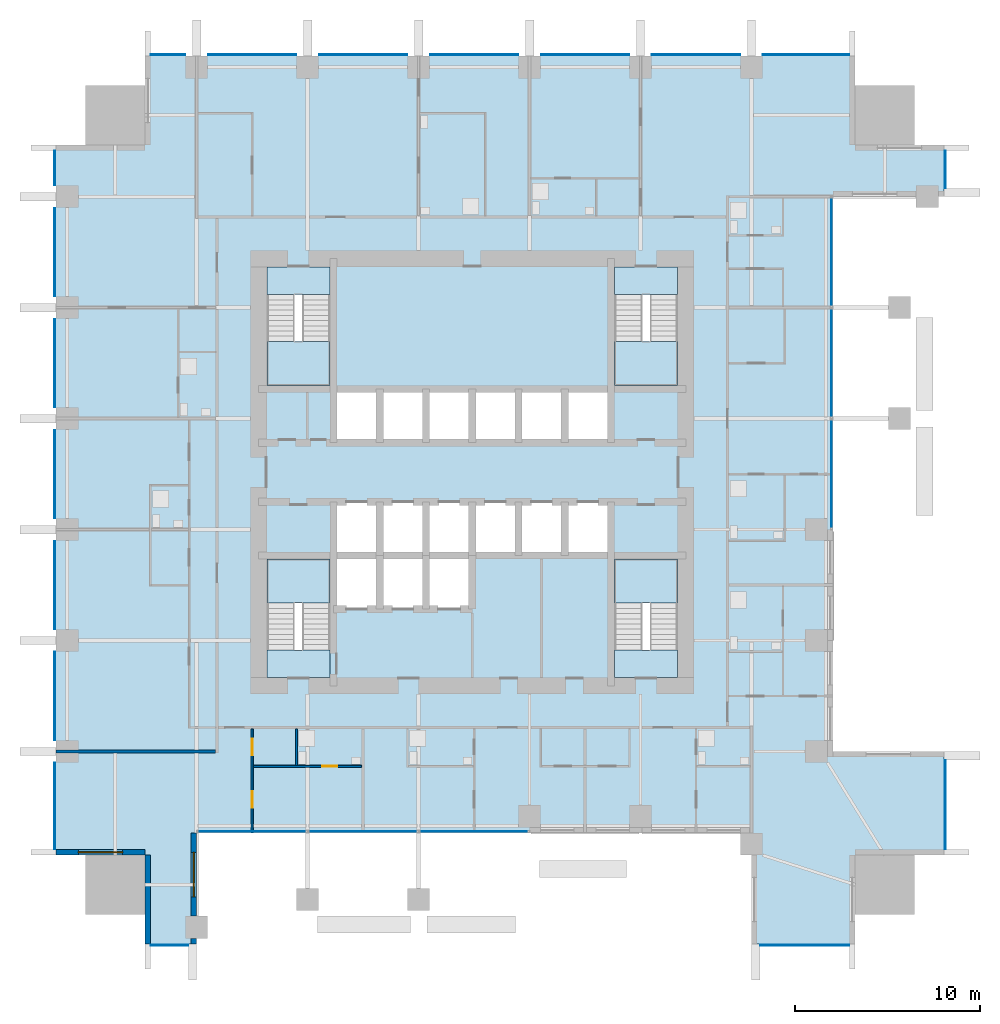
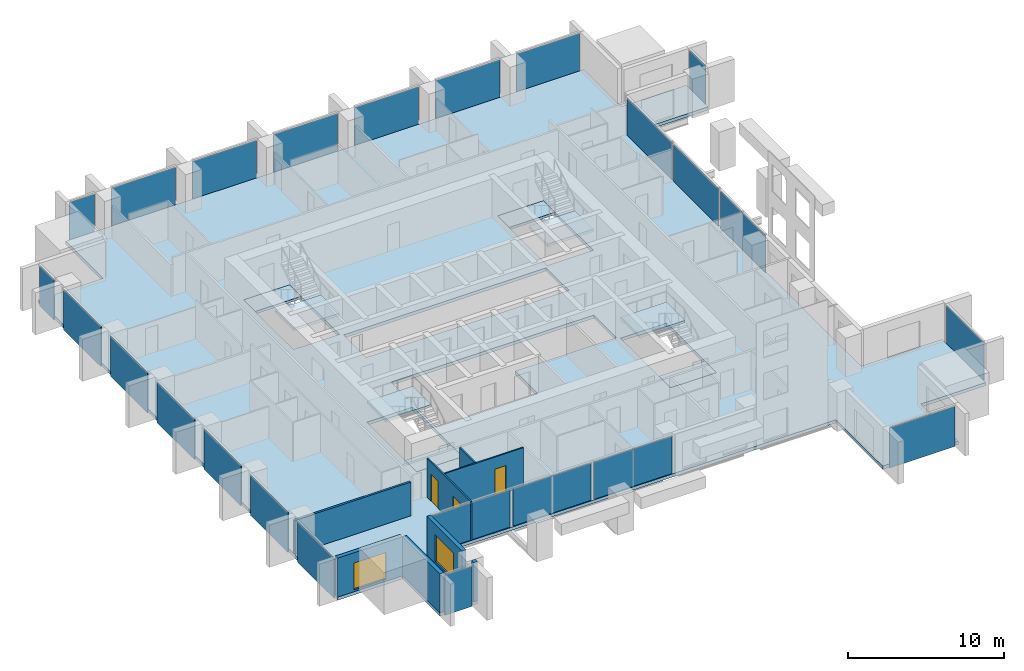
# One storey, part 6 of 13: 24 plates, 9 slabs, 8 walls, 3 doors, 2 windows, 5 openings, 16 elements without a shape of their own.
"""IFC4 building model written with IfcOpenShell, lengths in metres."""

from ifc_helpers import new_model, si_unit, direction, frame, frame_2d, origin, origin_2d, place, context, subcontext, project, spatial, polyline, rectangle, outline, extrude, material, layer, layer_set, type_object, element, fill, aggregate, save


model = new_model("IFC4")

# Units and contexts
model_context = context("Model", 3, precision=1e-05, world=origin(), true_north=direction((0.0, 1.0)))
body_context = subcontext(model_context, "Body", "Model", "MODEL_VIEW")
ifc_project = project(units=[si_unit("LENGTHUNIT", "METRE"), si_unit("AREAUNIT", "SQUARE_METRE"), si_unit("VOLUMEUNIT", "CUBIC_METRE"), si_unit("PLANEANGLEUNIT", "RADIAN"), si_unit("MASSUNIT", "GRAM", prefix="KILO")], contexts=[model_context])

# Site, building, storey
site_placement = place(None, origin())
site = spatial("IfcSite", under=ifc_project, at=site_placement, CompositionType="ELEMENT")
building_placement = place(site_placement, origin())
building = spatial("IfcBuilding", under=site, at=building_placement, Name="Amberfall Residences", CompositionType="ELEMENT")
storey_placement = place(building_placement, frame((0.0, 0.0, 56.5)))
storey = spatial("IfcBuildingStorey", under=building, at=storey_placement, Name="L15", CompositionType="ELEMENT", Elevation=56.5)

# Curtain wall, plate
ifc_material_1 = material(Name="Bronze anodised aluminium and glass", Category="aluminium")
curtain_wall_type_1 = type_object("IfcCurtainWallType", Name="Curtain wall CW1 tower unit", PredefinedType="USERDEFINED", material=ifc_material_1)
curtain_wall_1_placement = place(storey_placement, origin())
curtain_wall_1 = element("IfcCurtainWall", 1, at=curtain_wall_1_placement, inside=storey, type_object=curtain_wall_type_1, Name="Curtain wall L15 S S1", ObjectType="UNITISED CURTAIN WALL", PredefinedType="USERDEFINED")
ifc_material_2 = material(Name="Tinted double glazed unit", Category="glass")
ifc_layer_1 = layer(ifc_material_2, 0.035888671875)
ifc_layer_set_1 = layer_set([ifc_layer_1], Name="CW1 panel 36 glazing")
plate_type_1 = type_object("IfcPlateType", Name="CW1 panel 36 glazing", PredefinedType="CURTAIN_PANEL", material=ifc_layer_set_1)
plate_1_placement = place(storey_placement, frame((58.125, 19.925048828125, -0.25), z_axis=(0.0, 0.0, 1.0), x_axis=(1.0, 0.0, 0.0)))
plate_1 = element("IfcPlate", 2, at=plate_1_placement, type_object=plate_type_1, Name="CW1 panel 1.1", PredefinedType="CURTAIN_PANEL", context=body_context, shape_type="SweptSolid", body=[
    extrude(rectangle(XDim=2.02587890625, YDim=0.035888671875, at=origin_2d()), origin(), (0.0, 0.0, 1.0), 3.14990234375),
])
aggregate(curtain_wall_1, [plate_1])

curtain_wall_2_placement = place(storey_placement, origin())
curtain_wall_2 = element("IfcCurtainWall", 3, at=curtain_wall_2_placement, inside=storey, type_object=curtain_wall_type_1, Name="Curtain wall L15 S S9", ObjectType="UNITISED CURTAIN WALL", PredefinedType="USERDEFINED")
plate_2_placement = place(storey_placement, frame((92.47509765625, 19.925048828125, -0.25), z_axis=(0.0, 0.0, 1.0), x_axis=(1.0, 0.0, 0.0)))
plate_2 = element("IfcPlate", 4, at=plate_2_placement, type_object=plate_type_1, Name="CW1 panel 1.1", PredefinedType="CURTAIN_PANEL", context=body_context, shape_type="SweptSolid", body=[
    extrude(rectangle(XDim=4.825927734375, YDim=0.035888671875, at=origin_2d()), origin(), (0.0, 0.0, 1.0), 3.14990234375),
])
aggregate(curtain_wall_2, [plate_2])

curtain_wall_3_placement = place(storey_placement, origin())
curtain_wall_3 = element("IfcCurtainWall", 5, at=curtain_wall_3_placement, inside=storey, type_object=curtain_wall_type_1, Name="Curtain wall L15 E E1", ObjectType="UNITISED CURTAIN WALL", PredefinedType="USERDEFINED")
plate_3_placement = place(storey_placement, frame((100.074951171875, 27.52490234375, -0.25), z_axis=(0.0, 0.0, 1.0), x_axis=(0.0, 1.0, 0.0)))
plate_3 = element("IfcPlate", 6, at=plate_3_placement, type_object=plate_type_1, Name="CW1 panel 1.1", PredefinedType="CURTAIN_PANEL", context=body_context, shape_type="SweptSolid", body=[
    extrude(rectangle(XDim=4.825927734375, YDim=0.035888671875, at=origin_2d()), origin(), (0.0, 0.0, 1.0), 3.14990234375),
])
aggregate(curtain_wall_3, [plate_3])

curtain_wall_4_placement = place(storey_placement, origin())
curtain_wall_4 = element("IfcCurtainWall", 7, at=curtain_wall_4_placement, inside=storey, type_object=curtain_wall_type_1, Name="Curtain wall L15 E E9", ObjectType="UNITISED CURTAIN WALL", PredefinedType="USERDEFINED")
plate_4_placement = place(storey_placement, frame((100.074951171875, 61.875, -0.25), z_axis=(0.0, 0.0, 1.0), x_axis=(0.0, 1.0, 0.0)))
plate_4 = element("IfcPlate", 8, at=plate_4_placement, type_object=plate_type_1, Name="CW1 panel 1.1", PredefinedType="CURTAIN_PANEL", context=body_context, shape_type="SweptSolid", body=[
    extrude(rectangle(XDim=2.02587890625, YDim=0.035888671875, at=origin_2d()), origin(), (0.0, 0.0, 1.0), 3.14990234375),
])
aggregate(curtain_wall_4, [plate_4])

# Curtain wall, plates
curtain_wall_5_placement = place(storey_placement, origin())
curtain_wall_5 = element("IfcCurtainWall", 9, at=curtain_wall_5_placement, inside=storey, type_object=curtain_wall_type_1, Name="Curtain wall L15 N N1", ObjectType="UNITISED CURTAIN WALL", PredefinedType="USERDEFINED")
plate_5_placement = place(storey_placement, frame((92.552490234375, 68.074951171875, -0.25), z_axis=(0.0, 0.0, 1.0), x_axis=(-1.0, 0.0, 0.0)))
plate_5 = element("IfcPlate", 10, at=plate_5_placement, type_object=plate_type_1, Name="CW1 panel 1.1", PredefinedType="CURTAIN_PANEL", context=body_context, shape_type="SweptSolid", body=[
    extrude(rectangle(XDim=4.6708984375, YDim=0.035888671875, at=origin_2d()), origin(), (0.0, 0.0, 1.0), 3.14990234375),
])
plate_6_placement = place(storey_placement, frame((86.60009765625, 68.074951171875, -0.25), z_axis=(0.0, 0.0, 1.0), x_axis=(-1.0, 0.0, 0.0)))
plate_6 = element("IfcPlate", 11, at=plate_6_placement, type_object=plate_type_1, Name="CW1 panel 2.1", PredefinedType="CURTAIN_PANEL", context=body_context, shape_type="SweptSolid", body=[
    extrude(rectangle(XDim=4.76611328125, YDim=0.035888671875, at=origin_2d()), origin(), (0.0, 0.0, 1.0), 3.14990234375),
])
plate_7_placement = place(storey_placement, frame((80.60009765625, 68.074951171875, -0.25), z_axis=(0.0, 0.0, 1.0), x_axis=(-1.0, 0.0, 0.0)))
plate_7 = element("IfcPlate", 12, at=plate_7_placement, type_object=plate_type_1, Name="CW1 panel 3.1", PredefinedType="CURTAIN_PANEL", context=body_context, shape_type="SweptSolid", body=[
    extrude(rectangle(XDim=4.76611328125, YDim=0.035888671875, at=origin_2d()), origin(), (0.0, 0.0, 1.0), 3.14990234375),
])
plate_8_placement = place(storey_placement, frame((74.60009765625, 68.074951171875, -0.25), z_axis=(0.0, 0.0, 1.0), x_axis=(-1.0, 0.0, 0.0)))
plate_8 = element("IfcPlate", 13, at=plate_8_placement, type_object=plate_type_1, Name="CW1 panel 4.1", PredefinedType="CURTAIN_PANEL", context=body_context, shape_type="SweptSolid", body=[
    extrude(rectangle(XDim=4.76611328125, YDim=0.035888671875, at=origin_2d()), origin(), (0.0, 0.0, 1.0), 3.14990234375),
])
plate_9_placement = place(storey_placement, frame((68.60009765625, 68.074951171875, -0.25), z_axis=(0.0, 0.0, 1.0), x_axis=(-1.0, 0.0, 0.0)))
plate_9 = element("IfcPlate", 14, at=plate_9_placement, type_object=plate_type_1, Name="CW1 panel 5.1", PredefinedType="CURTAIN_PANEL", context=body_context, shape_type="SweptSolid", body=[
    extrude(rectangle(XDim=4.76611328125, YDim=0.035888671875, at=origin_2d()), origin(), (0.0, 0.0, 1.0), 3.14990234375),
])
plate_10_placement = place(storey_placement, frame((62.60009765625, 68.074951171875, -0.25), z_axis=(0.0, 0.0, 1.0), x_axis=(-1.0, 0.0, 0.0)))
plate_10 = element("IfcPlate", 15, at=plate_10_placement, type_object=plate_type_1, Name="CW1 panel 6.1", PredefinedType="CURTAIN_PANEL", context=body_context, shape_type="SweptSolid", body=[
    extrude(rectangle(XDim=4.76611328125, YDim=0.035888671875, at=origin_2d()), origin(), (0.0, 0.0, 1.0), 3.14990234375),
])
plate_11_placement = place(storey_placement, frame((58.047607421875, 68.074951171875, -0.25), z_axis=(0.0, 0.0, 1.0), x_axis=(-1.0, 0.0, 0.0)))
plate_11 = element("IfcPlate", 16, at=plate_11_placement, type_object=plate_type_1, Name="CW1 panel 7.1", PredefinedType="CURTAIN_PANEL", context=body_context, shape_type="SweptSolid", body=[
    extrude(rectangle(XDim=1.87109375, YDim=0.035888671875, at=origin_2d()), origin(), (0.0, 0.0, 1.0), 3.14990234375),
])
aggregate(curtain_wall_5, [plate_5, plate_6, plate_7, plate_8, plate_9, plate_10, plate_11])

curtain_wall_6_placement = place(storey_placement, origin())
curtain_wall_6 = element("IfcCurtainWall", 17, at=curtain_wall_6_placement, inside=storey, type_object=curtain_wall_type_1, Name="Curtain wall L15 W W1", ObjectType="UNITISED CURTAIN WALL", PredefinedType="USERDEFINED")
plate_12_placement = place(storey_placement, frame((51.925048828125, 61.952392578125, -0.25), z_axis=(0.0, 0.0, 1.0), x_axis=(0.0, -1.0, 0.0)))
plate_12 = element("IfcPlate", 18, at=plate_12_placement, type_object=plate_type_1, Name="CW1 panel 1.1", PredefinedType="CURTAIN_PANEL", context=body_context, shape_type="SweptSolid", body=[
    extrude(rectangle(XDim=1.87109375, YDim=0.035888671875, at=origin_2d()), origin(), (0.0, 0.0, 1.0), 3.14990234375),
])
plate_13_placement = place(storey_placement, frame((51.925048828125, 57.39990234375, -0.25), z_axis=(0.0, 0.0, 1.0), x_axis=(0.0, -1.0, 0.0)))
plate_13 = element("IfcPlate", 19, at=plate_13_placement, type_object=plate_type_1, Name="CW1 panel 2.1", PredefinedType="CURTAIN_PANEL", context=body_context, shape_type="SweptSolid", body=[
    extrude(rectangle(XDim=4.76611328125, YDim=0.035888671875, at=origin_2d()), origin(), (0.0, 0.0, 1.0), 3.14990234375),
])
plate_14_placement = place(storey_placement, frame((51.925048828125, 51.39990234375, -0.25), z_axis=(0.0, 0.0, 1.0), x_axis=(0.0, -1.0, 0.0)))
plate_14 = element("IfcPlate", 20, at=plate_14_placement, type_object=plate_type_1, Name="CW1 panel 3.1", PredefinedType="CURTAIN_PANEL", context=body_context, shape_type="SweptSolid", body=[
    extrude(rectangle(XDim=4.76611328125, YDim=0.035888671875, at=origin_2d()), origin(), (0.0, 0.0, 1.0), 3.14990234375),
])
plate_15_placement = place(storey_placement, frame((51.925048828125, 45.39990234375, -0.25), z_axis=(0.0, 0.0, 1.0), x_axis=(0.0, -1.0, 0.0)))
plate_15 = element("IfcPlate", 21, at=plate_15_placement, type_object=plate_type_1, Name="CW1 panel 4.1", PredefinedType="CURTAIN_PANEL", context=body_context, shape_type="SweptSolid", body=[
    extrude(rectangle(XDim=4.76611328125, YDim=0.035888671875, at=origin_2d()), origin(), (0.0, 0.0, 1.0), 3.14990234375),
])
plate_16_placement = place(storey_placement, frame((51.925048828125, 39.39990234375, -0.25), z_axis=(0.0, 0.0, 1.0), x_axis=(0.0, -1.0, 0.0)))
plate_16 = element("IfcPlate", 22, at=plate_16_placement, type_object=plate_type_1, Name="CW1 panel 5.1", PredefinedType="CURTAIN_PANEL", context=body_context, shape_type="SweptSolid", body=[
    extrude(rectangle(XDim=4.76611328125, YDim=0.035888671875, at=origin_2d()), origin(), (0.0, 0.0, 1.0), 3.14990234375),
])
plate_17_placement = place(storey_placement, frame((51.925048828125, 33.39990234375, -0.25), z_axis=(0.0, 0.0, 1.0), x_axis=(0.0, -1.0, 0.0)))
plate_17 = element("IfcPlate", 23, at=plate_17_placement, type_object=plate_type_1, Name="CW1 panel 6.1", PredefinedType="CURTAIN_PANEL", context=body_context, shape_type="SweptSolid", body=[
    extrude(rectangle(XDim=4.76611328125, YDim=0.035888671875, at=origin_2d()), origin(), (0.0, 0.0, 1.0), 3.14990234375),
])
plate_18_placement = place(storey_placement, frame((51.925048828125, 27.447509765625, -0.25), z_axis=(0.0, 0.0, 1.0), x_axis=(0.0, -1.0, 0.0)))
plate_18 = element("IfcPlate", 24, at=plate_18_placement, type_object=plate_type_1, Name="CW1 panel 7.1", PredefinedType="CURTAIN_PANEL", context=body_context, shape_type="SweptSolid", body=[
    extrude(rectangle(XDim=4.6708984375, YDim=0.035888671875, at=origin_2d()), origin(), (0.0, 0.0, 1.0), 3.14990234375),
])
aggregate(curtain_wall_6, [plate_12, plate_13, plate_14, plate_15, plate_16, plate_17, plate_18])

# Curtain wall, plate
curtain_wall_type_2 = type_object("IfcCurtainWallType", Name="Curtain wall CW3 sky garden glazing", PredefinedType="USERDEFINED", material=ifc_material_1)
curtain_wall_7_placement = place(storey_placement, origin())
curtain_wall_7 = element("IfcCurtainWall", 25, at=curtain_wall_7_placement, inside=storey, type_object=curtain_wall_type_2, Name="Curtain wall L15 S S3", ObjectType="UNITISED CURTAIN WALL", PredefinedType="USERDEFINED")
ifc_material_3 = material(Name="Tinted laminated double glazed unit", Category="glass")
ifc_layer_2 = layer(ifc_material_3, 0.0439453125)
ifc_layer_set_2 = layer_set([ifc_layer_2], Name="CW3 panel 44 glazing")
plate_type_2 = type_object("IfcPlateType", Name="CW3 panel 44 glazing", PredefinedType="CURTAIN_PANEL", material=ifc_layer_set_2)
plate_19_placement = place(storey_placement, frame((62.60009765625, 26.074951171875, 0.0), z_axis=(0.0, 0.0, 1.0), x_axis=(1.0, 0.0, 0.0)))
plate_19 = element("IfcPlate", 26, at=plate_19_placement, type_object=plate_type_2, Name="CW3 panel 1.1", PredefinedType="CURTAIN_PANEL", context=body_context, shape_type="SweptSolid", body=[
    extrude(rectangle(XDim=5.77587890625, YDim=0.0439453125, at=origin_2d()), origin(), (0.0, 0.0, 1.0), 2.89990234375),
])
aggregate(curtain_wall_7, [plate_19])

curtain_wall_8_placement = place(storey_placement, origin())
curtain_wall_8 = element("IfcCurtainWall", 27, at=curtain_wall_8_placement, inside=storey, type_object=curtain_wall_type_2, Name="Curtain wall L15 S S4", ObjectType="UNITISED CURTAIN WALL", PredefinedType="USERDEFINED")
plate_20_placement = place(storey_placement, frame((68.60009765625, 26.074951171875, 0.0), z_axis=(0.0, 0.0, 1.0), x_axis=(1.0, 0.0, 0.0)))
plate_20 = element("IfcPlate", 28, at=plate_20_placement, type_object=plate_type_2, Name="CW3 panel 1.1", PredefinedType="CURTAIN_PANEL", context=body_context, shape_type="SweptSolid", body=[
    extrude(rectangle(XDim=5.77587890625, YDim=0.0439453125, at=origin_2d()), origin(), (0.0, 0.0, 1.0), 2.89990234375),
])
aggregate(curtain_wall_8, [plate_20])

curtain_wall_9_placement = place(storey_placement, origin())
curtain_wall_9 = element("IfcCurtainWall", 29, at=curtain_wall_9_placement, inside=storey, type_object=curtain_wall_type_2, Name="Curtain wall L15 S S5", ObjectType="UNITISED CURTAIN WALL", PredefinedType="USERDEFINED")
plate_21_placement = place(storey_placement, frame((74.60009765625, 26.074951171875, 0.0), z_axis=(0.0, 0.0, 1.0), x_axis=(1.0, 0.0, 0.0)))
plate_21 = element("IfcPlate", 30, at=plate_21_placement, type_object=plate_type_2, Name="CW3 panel 1.1", PredefinedType="CURTAIN_PANEL", context=body_context, shape_type="SweptSolid", body=[
    extrude(rectangle(XDim=5.77587890625, YDim=0.0439453125, at=origin_2d()), origin(), (0.0, 0.0, 1.0), 2.89990234375),
])
aggregate(curtain_wall_9, [plate_21])

curtain_wall_10_placement = place(storey_placement, origin())
curtain_wall_10 = element("IfcCurtainWall", 31, at=curtain_wall_10_placement, inside=storey, type_object=curtain_wall_type_2, Name="Curtain wall L15 E E5", ObjectType="UNITISED CURTAIN WALL", PredefinedType="USERDEFINED")
plate_22_placement = place(storey_placement, frame((93.925048828125, 45.39990234375, 0.0), z_axis=(0.0, 0.0, 1.0), x_axis=(0.0, 1.0, 0.0)))
plate_22 = element("IfcPlate", 32, at=plate_22_placement, type_object=plate_type_2, Name="CW3 panel 1.1", PredefinedType="CURTAIN_PANEL", context=body_context, shape_type="SweptSolid", body=[
    extrude(rectangle(XDim=5.77587890625, YDim=0.0439453125, at=origin_2d()), origin(), (0.0, 0.0, 1.0), 2.89990234375),
])
aggregate(curtain_wall_10, [plate_22])

curtain_wall_11_placement = place(storey_placement, origin())
curtain_wall_11 = element("IfcCurtainWall", 33, at=curtain_wall_11_placement, inside=storey, type_object=curtain_wall_type_2, Name="Curtain wall L15 E E6", ObjectType="UNITISED CURTAIN WALL", PredefinedType="USERDEFINED")
plate_23_placement = place(storey_placement, frame((93.925048828125, 51.39990234375, 0.0), z_axis=(0.0, 0.0, 1.0), x_axis=(0.0, 1.0, 0.0)))
plate_23 = element("IfcPlate", 34, at=plate_23_placement, type_object=plate_type_2, Name="CW3 panel 1.1", PredefinedType="CURTAIN_PANEL", context=body_context, shape_type="SweptSolid", body=[
    extrude(rectangle(XDim=5.77587890625, YDim=0.0439453125, at=origin_2d()), origin(), (0.0, 0.0, 1.0), 2.89990234375),
])
aggregate(curtain_wall_11, [plate_23])

curtain_wall_12_placement = place(storey_placement, origin())
curtain_wall_12 = element("IfcCurtainWall", 35, at=curtain_wall_12_placement, inside=storey, type_object=curtain_wall_type_2, Name="Curtain wall L15 E E7", ObjectType="UNITISED CURTAIN WALL", PredefinedType="USERDEFINED")
plate_24_placement = place(storey_placement, frame((93.925048828125, 57.39990234375, 0.0), z_axis=(0.0, 0.0, 1.0), x_axis=(0.0, 1.0, 0.0)))
plate_24 = element("IfcPlate", 36, at=plate_24_placement, type_object=plate_type_2, Name="CW3 panel 1.1", PredefinedType="CURTAIN_PANEL", context=body_context, shape_type="SweptSolid", body=[
    extrude(rectangle(XDim=5.77587890625, YDim=0.0439453125, at=origin_2d()), origin(), (0.0, 0.0, 1.0), 2.89990234375),
])
aggregate(curtain_wall_12, [plate_24])

# Slab
ifc_material_4 = material(Name="Concrete C80", Category="concrete")
ifc_layer_3 = layer(ifc_material_4, 0.25)
ifc_layer_set_3 = layer_set([ifc_layer_3], Name="Floor slab 250 C80")
slab_type_1 = type_object("IfcSlabType", Name="Floor slab 250 C80", PredefinedType="FLOOR", material=ifc_layer_set_3)
slab_1_placement = place(storey_placement, frame((0.0, 0.0, -0.25)))
element("IfcSlab", 37, at=slab_1_placement, inside=storey, type_object=slab_type_1, Name="Floor slab S3 L15", PredefinedType="FLOOR", context=body_context, shape_type="SweptSolid", body=[
    extrude(outline(polyline([(89.60009765625, 20.0), (89.60009765625, 26.0), (83.60009765625, 26.0), (77.60009765625, 26.0), (71.60009765625, 26.0), (65.60009765625, 26.0), (59.60009765625, 26.0), (59.60009765625, 20.0), (56.800048828125, 20.0), (56.800048828125, 24.800048828125), (52.0, 24.800048828125), (52.0, 63.199951171875), (56.800048828125, 63.199951171875), (56.800048828125, 68.0), (95.199951171875, 68.0), (95.199951171875, 63.199951171875), (100.0, 63.199951171875), (100.0, 60.39990234375), (94.0, 60.39990234375), (94.0, 54.39990234375), (94.0, 48.39990234375), (94.0, 42.39990234375), (94.0, 36.39990234375), (94.0, 30.39990234375), (100.0, 30.39990234375), (100.0, 24.800048828125), (95.199951171875, 24.800048828125), (95.199951171875, 20.0), (89.60009765625, 20.0)]), holes=[polyline([(85.60009765625, 34.39990234375), (85.60009765625, 40.800048828125), (82.199951171875, 40.800048828125), (82.199951171875, 34.39990234375), (85.60009765625, 34.39990234375)]), polyline([(82.199951171875, 50.199951171875), (85.60009765625, 50.199951171875), (85.60009765625, 56.60009765625), (82.199951171875, 56.60009765625), (82.199951171875, 50.199951171875)]), polyline([(69.5, 50.0), (67.0, 50.0), (67.0, 47.10009765625), (69.5, 47.10009765625), (72.0, 47.10009765625), (74.5, 47.10009765625), (77.0, 47.10009765625), (79.5, 47.10009765625), (82.0, 47.10009765625), (82.0, 50.0), (79.5, 50.0), (77.0, 50.0), (74.5, 50.0), (72.0, 50.0), (69.5, 50.0)]), polyline([(74.5, 41.0), (77.0, 41.0), (79.5, 41.0), (82.0, 41.0), (82.0, 43.89990234375), (79.5, 43.89990234375), (77.0, 43.89990234375), (74.5, 43.89990234375), (72.0, 43.89990234375), (69.5, 43.89990234375), (67.0, 43.89990234375), (67.0, 41.0), (67.0, 38.10009765625), (69.5, 38.10009765625), (72.0, 38.10009765625), (74.5, 38.10009765625), (74.5, 41.0)]), polyline([(66.800048828125, 34.39990234375), (66.800048828125, 40.800048828125), (63.39990234375, 40.800048828125), (63.39990234375, 34.39990234375), (66.800048828125, 34.39990234375)]), polyline([(66.800048828125, 50.199951171875), (66.800048828125, 56.60009765625), (63.39990234375, 56.60009765625), (63.39990234375, 50.199951171875), (66.800048828125, 50.199951171875)])]), origin(), (0.0, 0.0, 1.0), 0.25),
])

# Stair, slabs
ifc_material_5 = material(Name="Concrete C40", Category="concrete")
stair_type = type_object("IfcStairType", Name="Exit stair 20 risers 165.0 mm", PredefinedType="HALF_TURN_STAIR", material=ifc_material_5)
stair_1_placement = place(storey_placement, origin())
stair_1 = element("IfcStair", 38, at=stair_1_placement, inside=storey, type_object=stair_type, Name="L15 Exit stair 1", PredefinedType="HALF_TURN_STAIR")
ifc_layer_4 = layer(ifc_material_5, 0.199951171875)
ifc_layer_set_4 = layer_set([ifc_layer_4], Name="Stair landing 200")
slab_type_2 = type_object("IfcSlabType", Name="Stair landing 200", PredefinedType="LANDING", material=ifc_layer_set_4)
slab_2_placement = place(storey_placement, frame((0.0, 0.0, 1.449951171875)))
slab_2 = element("IfcSlab", 39, at=slab_2_placement, type_object=slab_type_2, Name="ST3 landing 1", PredefinedType="LANDING", context=body_context, shape_type="SweptSolid", body=[
    extrude(outline(polyline([(66.800048828125, 38.419921875), (66.800048828125, 40.800048828125), (63.39990234375, 40.800048828125), (63.39990234375, 38.419921875), (66.800048828125, 38.419921875)])), origin(), (0.0, 0.0, 1.0), 0.199951171875),
])
slab_3_placement = place(storey_placement, frame((0.0, 0.0, -0.199951171875)))
slab_3 = element("IfcSlab", 40, at=slab_3_placement, type_object=slab_type_2, Name="ST3 landing 2", PredefinedType="LANDING", context=body_context, shape_type="SweptSolid", body=[
    extrude(outline(polyline([(66.800048828125, 34.39990234375), (66.800048828125, 35.89990234375), (63.39990234375, 35.89990234375), (63.39990234375, 34.39990234375), (66.800048828125, 34.39990234375)])), origin(), (0.0, 0.0, 1.0), 0.199951171875),
])
aggregate(stair_1, [slab_2, slab_3])

stair_2_placement = place(storey_placement, origin())
stair_2 = element("IfcStair", 41, at=stair_2_placement, inside=storey, type_object=stair_type, Name="L15 Exit stair 2", PredefinedType="HALF_TURN_STAIR")
slab_4_placement = place(storey_placement, frame((0.0, 0.0, 1.449951171875)))
slab_4 = element("IfcSlab", 42, at=slab_4_placement, type_object=slab_type_2, Name="ST3 landing 1", PredefinedType="LANDING", context=body_context, shape_type="SweptSolid", body=[
    extrude(outline(polyline([(85.60009765625, 38.419921875), (85.60009765625, 40.800048828125), (82.199951171875, 40.800048828125), (82.199951171875, 38.419921875), (85.60009765625, 38.419921875)])), origin(), (0.0, 0.0, 1.0), 0.199951171875),
])
slab_5_placement = place(storey_placement, frame((0.0, 0.0, -0.199951171875)))
slab_5 = element("IfcSlab", 43, at=slab_5_placement, type_object=slab_type_2, Name="ST3 landing 2", PredefinedType="LANDING", context=body_context, shape_type="SweptSolid", body=[
    extrude(outline(polyline([(85.60009765625, 34.39990234375), (85.60009765625, 35.89990234375), (82.199951171875, 35.89990234375), (82.199951171875, 34.39990234375), (85.60009765625, 34.39990234375)])), origin(), (0.0, 0.0, 1.0), 0.199951171875),
])
aggregate(stair_2, [slab_4, slab_5])

stair_3_placement = place(storey_placement, origin())
stair_3 = element("IfcStair", 44, at=stair_3_placement, inside=storey, type_object=stair_type, Name="L15 Exit stair 3", PredefinedType="HALF_TURN_STAIR")
slab_6_placement = place(storey_placement, frame((0.0, 0.0, 1.449951171875)))
slab_6 = element("IfcSlab", 45, at=slab_6_placement, type_object=slab_type_2, Name="ST3 landing 1", PredefinedType="LANDING", context=body_context, shape_type="SweptSolid", body=[
    extrude(outline(polyline([(82.199951171875, 52.580078125), (82.199951171875, 50.199951171875), (85.60009765625, 50.199951171875), (85.60009765625, 52.580078125), (82.199951171875, 52.580078125)])), origin(), (0.0, 0.0, 1.0), 0.199951171875),
])
slab_7_placement = place(storey_placement, frame((0.0, 0.0, -0.199951171875)))
slab_7 = element("IfcSlab", 46, at=slab_7_placement, type_object=slab_type_2, Name="ST3 landing 2", PredefinedType="LANDING", context=body_context, shape_type="SweptSolid", body=[
    extrude(outline(polyline([(82.199951171875, 56.60009765625), (82.199951171875, 55.10009765625), (85.60009765625, 55.10009765625), (85.60009765625, 56.60009765625), (82.199951171875, 56.60009765625)])), origin(), (0.0, 0.0, 1.0), 0.199951171875),
])
aggregate(stair_3, [slab_6, slab_7])

stair_4_placement = place(storey_placement, origin())
stair_4 = element("IfcStair", 47, at=stair_4_placement, inside=storey, type_object=stair_type, Name="L15 Exit stair 4", PredefinedType="HALF_TURN_STAIR")
slab_8_placement = place(storey_placement, frame((0.0, 0.0, 1.449951171875)))
slab_8 = element("IfcSlab", 48, at=slab_8_placement, type_object=slab_type_2, Name="ST3 landing 1", PredefinedType="LANDING", context=body_context, shape_type="SweptSolid", body=[
    extrude(outline(polyline([(63.39990234375, 52.580078125), (63.39990234375, 50.199951171875), (66.800048828125, 50.199951171875), (66.800048828125, 52.580078125), (63.39990234375, 52.580078125)])), origin(), (0.0, 0.0, 1.0), 0.199951171875),
])
slab_9_placement = place(storey_placement, frame((0.0, 0.0, -0.199951171875)))
slab_9 = element("IfcSlab", 49, at=slab_9_placement, type_object=slab_type_2, Name="ST3 landing 2", PredefinedType="LANDING", context=body_context, shape_type="SweptSolid", body=[
    extrude(outline(polyline([(63.39990234375, 56.60009765625), (63.39990234375, 55.10009765625), (66.800048828125, 55.10009765625), (66.800048828125, 56.60009765625), (63.39990234375, 56.60009765625)])), origin(), (0.0, 0.0, 1.0), 0.199951171875),
])
aggregate(stair_4, [slab_8, slab_9])

# Wall
ifc_material_6 = material(Name="Pale stone cladding on insulated backing", Category="masonry")
ifc_layer_5 = layer(ifc_material_6, 0.300048828125)
ifc_layer_set_5 = layer_set([ifc_layer_5], Name="Bronze clad wall 300")
wall_type_1 = type_object("IfcWallType", Name="Bronze clad wall 300", PredefinedType="SOLIDWALL", material=ifc_layer_set_5)
wall_1_placement = place(storey_placement, frame((59.449951171875, 20.0, 0.0), z_axis=(0.0, 0.0, 1.0), x_axis=(0.0, 1.0, 0.0)))
element("IfcWall", 50, at=wall_1_placement, inside=storey, type_object=wall_type_1, Name="External wall L15 S", PredefinedType="SOLIDWALL", context=body_context, shape_type="SweptSolid", body=[
    extrude(rectangle(XDim=0.300048828125, YDim=0.300048828125, at=frame_2d((0.14990234375, 0.0))), origin(), (0.0, 0.0, 1.0), 3.050048828125),
])

# Wall, opening, window
wall_2_placement = place(storey_placement, frame((59.449951171875, 21.5, 0.0), z_axis=(0.0, 0.0, 1.0), x_axis=(0.0, 1.0, 0.0)))
wall_2 = element("IfcWall", 51, at=wall_2_placement, inside=storey, type_object=wall_type_1, Name="External wall L15 S", PredefinedType="SOLIDWALL", context=body_context, shape_type="SweptSolid", body=[
    extrude(rectangle(XDim=4.5, YDim=0.300048828125, at=frame_2d((2.25, 0.0))), origin(), (0.0, 0.0, 1.0), 3.050048828125),
])
opening_1_placement = place(wall_2_placement, frame((1.050048828125, 0.0, 0.14990234375)))
opening_1 = element("IfcOpeningElement", 52, at=opening_1_placement, cuts=wall_2, Name="Opening WN5", PredefinedType="OPENING", context=body_context, shape_type="SweptSolid", body=[
    extrude(rectangle(XDim=2.39990234375, YDim=2.10009765625, at=frame_2d((1.199951171875, 1.050048828125))), frame((0.0, 0.159912109375, 0.0), z_axis=(0.0, -1.0, 0.0), x_axis=(1.0, 0.0, 0.0)), (0.0, 0.0, 1.0), 0.320068359375),
])
ifc_material_7 = material(Name="Bronze aluminium framed glazing", Category="aluminium")
window_type = type_object("IfcWindowType", Name="Glazed opening 2400 x 2100 bronze", PartitioningType="DOUBLE_PANEL_VERTICAL", PredefinedType="WINDOW", material=ifc_material_7)
window_1_placement = place(opening_1_placement, origin())
window_1 = element("IfcWindow", 53, at=window_1_placement, inside=storey, type_object=window_type, Name="Window L15 S", OverallHeight=2.10009765625, OverallWidth=2.39990234375, PartitioningType="DOUBLE_PANEL_VERTICAL", PredefinedType="WINDOW", context=body_context, shape_type="SweptSolid", body=[
    extrude(rectangle(XDim=2.39990234375, YDim=2.10009765625, at=frame_2d((1.199951171875, 1.050048828125))), frame((0.0, 0.030029296875, 0.0), z_axis=(0.0, -1.0, 0.0), x_axis=(1.0, 0.0, 0.0)), (0.0, 0.0, 1.0), 0.06005859375),
])
fill(opening_1, window_1)

wall_3_placement = place(storey_placement, frame((52.0, 24.949951171875, 0.0), z_axis=(0.0, 0.0, 1.0), x_axis=(1.0, 0.0, 0.0)))
wall_3 = element("IfcWall", 54, at=wall_3_placement, inside=storey, type_object=wall_type_1, Name="External wall L15 SW", PredefinedType="SOLIDWALL", context=body_context, shape_type="SweptSolid", body=[
    extrude(rectangle(XDim=4.800048828125, YDim=0.300048828125, at=frame_2d((2.39990234375, 0.0))), origin(), (0.0, 0.0, 1.0), 3.050048828125),
])
opening_2_placement = place(wall_3_placement, frame((1.199951171875, 0.0, 0.14990234375)))
opening_2 = element("IfcOpeningElement", 55, at=opening_2_placement, cuts=wall_3, Name="Opening WN5", PredefinedType="OPENING", context=body_context, shape_type="SweptSolid", body=[
    extrude(rectangle(XDim=2.39990234375, YDim=2.10009765625, at=frame_2d((1.199951171875, 1.050048828125))), frame((0.0, 0.159912109375, 0.0), z_axis=(0.0, -1.0, 0.0), x_axis=(1.0, 0.0, 0.0)), (0.0, 0.0, 1.0), 0.320068359375),
])
window_2_placement = place(opening_2_placement, origin())
window_2 = element("IfcWindow", 56, at=window_2_placement, inside=storey, type_object=window_type, Name="Window L15 SW", OverallHeight=2.10009765625, OverallWidth=2.39990234375, PartitioningType="DOUBLE_PANEL_VERTICAL", PredefinedType="WINDOW", context=body_context, shape_type="SweptSolid", body=[
    extrude(rectangle(XDim=2.39990234375, YDim=2.10009765625, at=frame_2d((1.199951171875, 1.050048828125))), frame((0.0, 0.030029296875, 0.0), z_axis=(0.0, -1.0, 0.0), x_axis=(1.0, 0.0, 0.0)), (0.0, 0.0, 1.0), 0.06005859375),
])
fill(opening_2, window_2)

# Wall
wall_4_placement = place(storey_placement, frame((56.949951171875, 24.800048828125, 0.0), z_axis=(0.0, 0.0, 1.0), x_axis=(0.0, -1.0, 0.0)))
element("IfcWall", 57, at=wall_4_placement, inside=storey, type_object=wall_type_1, Name="External wall L15 SW", PredefinedType="SOLIDWALL", context=body_context, shape_type="SweptSolid", body=[
    extrude(rectangle(XDim=4.800048828125, YDim=0.300048828125, at=frame_2d((2.39990234375, 0.0))), origin(), (0.0, 0.0, 1.0), 3.050048828125),
])

# Wall, openings, doors
ifc_material_8 = material(Name="Gypsum board on metal stud")
ifc_layer_6 = layer(ifc_material_8, 0.10009765625)
ifc_layer_set_6 = layer_set([ifc_layer_6], Name="Flat partition 100")
wall_type_2 = type_object("IfcWallType", Name="Flat partition 100", PredefinedType="PARTITIONING", material=ifc_layer_set_6)
wall_5_placement = place(storey_placement, frame((62.60009765625, 31.625, 0.0), z_axis=(0.0, 0.0, 1.0), x_axis=(0.0, -1.0, 0.0)))
wall_5 = element("IfcWall", 58, at=wall_5_placement, inside=storey, type_object=wall_type_2, Name="Partition 004", PredefinedType="PARTITIONING", context=body_context, shape_type="SweptSolid", body=[
    extrude(rectangle(XDim=5.625, YDim=0.10009765625, at=frame_2d((2.8125, 0.0))), origin(), (0.0, 0.0, 1.0), 3.050048828125),
])
opening_3_placement = place(wall_5_placement, frame((0.52490234375, 0.0, 0.0)))
opening_3 = element("IfcOpeningElement", 59, at=opening_3_placement, cuts=wall_5, Name="Opening D41", PredefinedType="OPENING", context=body_context, shape_type="SweptSolid", body=[
    extrude(rectangle(XDim=0.89990234375, YDim=2.10009765625, at=frame_2d((0.449951171875, 1.050048828125))), frame((0.0, 0.06005859375, 0.0), z_axis=(0.0, -1.0, 0.0), x_axis=(1.0, 0.0, 0.0)), (0.0, 0.0, 1.0), 0.1201171875),
])
opening_4_placement = place(wall_5_placement, frame((3.375, 0.0, 0.0)))
opening_4 = element("IfcOpeningElement", 60, at=opening_4_placement, cuts=wall_5, Name="Opening D41", PredefinedType="OPENING", context=body_context, shape_type="SweptSolid", body=[
    extrude(rectangle(XDim=0.89990234375, YDim=2.10009765625, at=frame_2d((0.449951171875, 1.050048828125))), frame((0.0, 0.06005859375, 0.0), z_axis=(0.0, -1.0, 0.0), x_axis=(1.0, 0.0, 0.0)), (0.0, 0.0, 1.0), 0.1201171875),
])
ifc_material_9 = material(Name="Timber", Category="wood")
door_type_1 = type_object("IfcDoorType", Name="Internal door 900 x 2100", OperationType="SINGLE_SWING_LEFT", PredefinedType="DOOR", material=ifc_material_9)
door_1_placement = place(opening_3_placement, origin())
door_1 = element("IfcDoor", 61, at=door_1_placement, inside=storey, type_object=door_type_1, Name="Door 1501 kitchen", OperationType="SINGLE_SWING_LEFT", OverallHeight=2.10009765625, OverallWidth=0.89990234375, PredefinedType="DOOR", context=body_context, shape_type="SweptSolid", body=[
    extrude(rectangle(XDim=0.89990234375, YDim=2.10009765625, at=frame_2d((0.449951171875, 1.050048828125))), frame((0.0, 0.02490234375, 0.0), z_axis=(0.0, -1.0, 0.0), x_axis=(1.0, 0.0, 0.0)), (0.0, 0.0, 1.0), 0.050048828125),
])
fill(opening_3, door_1)
door_2_placement = place(opening_4_placement, origin())
door_2 = element("IfcDoor", 62, at=door_2_placement, inside=storey, type_object=door_type_1, Name="Door 1501 bedroom1", OperationType="SINGLE_SWING_LEFT", OverallHeight=2.10009765625, OverallWidth=0.89990234375, PredefinedType="DOOR", context=body_context, shape_type="SweptSolid", body=[
    extrude(rectangle(XDim=0.89990234375, YDim=2.10009765625, at=frame_2d((0.449951171875, 1.050048828125))), frame((0.0, 0.02490234375, 0.0), z_axis=(0.0, -1.0, 0.0), x_axis=(1.0, 0.0, 0.0)), (0.0, 0.0, 1.0), 0.050048828125),
])
fill(opening_4, door_2)

# Wall
wall_6_placement = place(storey_placement, frame((65.0, 29.64990234375, 0.0), z_axis=(0.0, 0.0, 1.0), x_axis=(0.0, 1.0, 0.0)))
element("IfcWall", 63, at=wall_6_placement, inside=storey, type_object=wall_type_2, Name="Partition 006", PredefinedType="PARTITIONING", context=body_context, shape_type="SweptSolid", body=[
    extrude(rectangle(XDim=1.97509765625, YDim=0.10009765625, at=frame_2d((0.987548828125, 0.0))), origin(), (0.0, 0.0, 1.0), 3.050048828125),
])

# Wall, opening, door
wall_7_placement = place(storey_placement, frame((62.64990234375, 29.60009765625, 0.0), z_axis=(0.0, 0.0, 1.0), x_axis=(1.0, 0.0, 0.0)))
wall_7 = element("IfcWall", 64, at=wall_7_placement, inside=storey, type_object=wall_type_2, Name="Partition 037", PredefinedType="PARTITIONING", context=body_context, shape_type="SweptSolid", body=[
    extrude(rectangle(XDim=5.875, YDim=0.10009765625, at=frame_2d((2.9375, 0.0))), origin(), (0.0, 0.0, 1.0), 3.050048828125),
])
opening_5_placement = place(wall_7_placement, frame((3.75, 0.0, 0.0)))
opening_5 = element("IfcOpeningElement", 65, at=opening_5_placement, cuts=wall_7, Name="Opening D42", PredefinedType="OPENING", context=body_context, shape_type="SweptSolid", body=[
    extrude(rectangle(XDim=0.800048828125, YDim=2.10009765625, at=frame_2d((0.39990234375, 1.050048828125))), frame((0.0, 0.06005859375, 0.0), z_axis=(0.0, -1.0, 0.0), x_axis=(1.0, 0.0, 0.0)), (0.0, 0.0, 1.0), 0.1201171875),
])
door_type_2 = type_object("IfcDoorType", Name="Bathroom door 800 x 2100", OperationType="SINGLE_SWING_LEFT", PredefinedType="DOOR", material=ifc_material_9)
door_3_placement = place(opening_5_placement, origin())
door_3 = element("IfcDoor", 66, at=door_3_placement, inside=storey, type_object=door_type_2, Name="Door 1501 bath1", OperationType="SINGLE_SWING_LEFT", OverallHeight=2.10009765625, OverallWidth=0.800048828125, PredefinedType="DOOR", context=body_context, shape_type="SweptSolid", body=[
    extrude(rectangle(XDim=0.800048828125, YDim=2.10009765625, at=frame_2d((0.39990234375, 1.050048828125))), frame((0.0, 0.02490234375, 0.0), z_axis=(0.0, -1.0, 0.0), x_axis=(1.0, 0.0, 0.0)), (0.0, 0.0, 1.0), 0.050048828125),
])
fill(opening_5, door_3)

# Wall
ifc_material_10 = material(Name="Blockwork, plastered", Category="masonry")
ifc_layer_7 = layer(ifc_material_10, 0.14990234375)
ifc_layer_set_7 = layer_set([ifc_layer_7], Name="Flat separating wall 150")
wall_type_3 = type_object("IfcWallType", Name="Flat separating wall 150", PredefinedType="PARTITIONING", material=ifc_layer_set_7)
wall_8_placement = place(storey_placement, frame((52.0, 30.39990234375, 0.0), z_axis=(0.0, 0.0, 1.0), x_axis=(1.0, 0.0, 0.0)))
element("IfcWall", 67, at=wall_8_placement, inside=storey, type_object=wall_type_3, Name="Separating wall 054", PredefinedType="PARTITIONING", context=body_context, shape_type="SweptSolid", body=[
    extrude(rectangle(XDim=8.625, YDim=0.14990234375, at=frame_2d((4.3125, 0.0))), origin(), (0.0, 0.0, 1.0), 2.64697265625),
])

save(model, "model.ifc")
